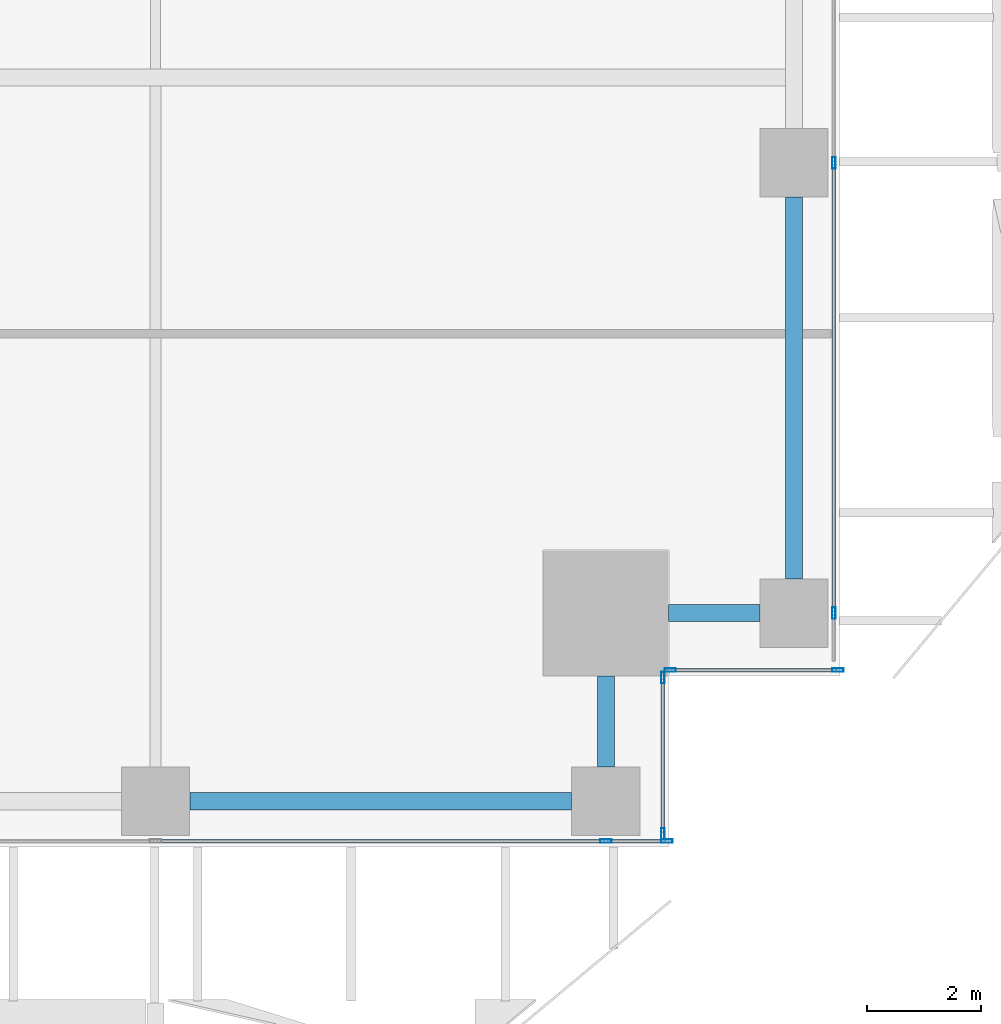
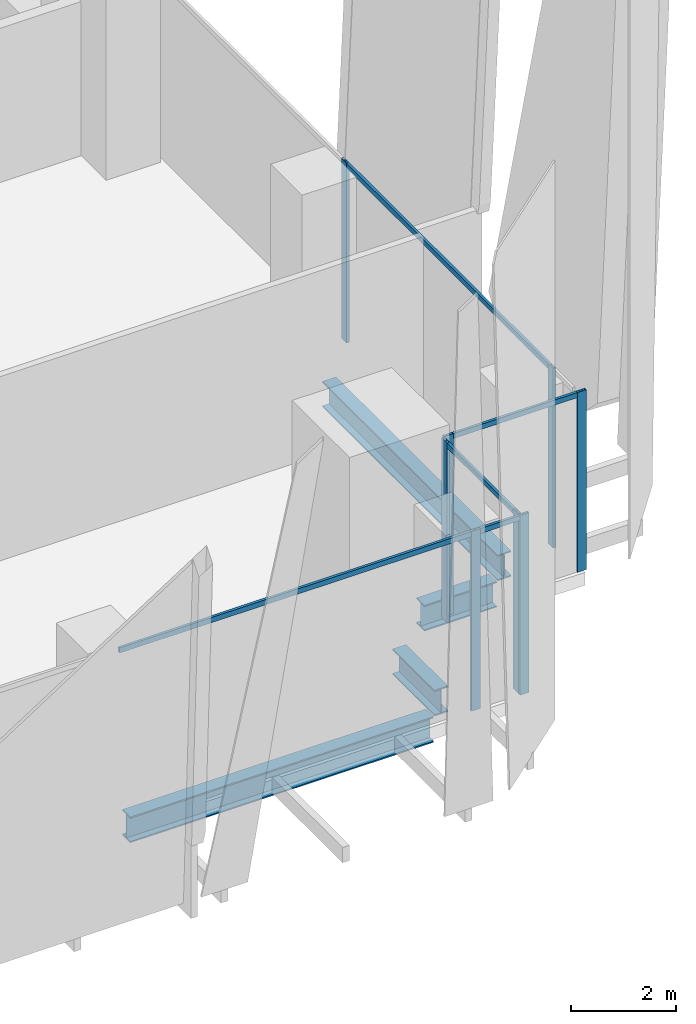
# One storey, part 8 of 34: 13 members, 4 beams, 4 elements without a shape of their own.
"""IFC4 building model written with IfcOpenShell, lengths in metres."""

from ifc_helpers import new_model, si_unit, direction, frame, origin, origin_2d, place, context, subcontext, project, spatial, hollow_rectangle, i_section, extrude, source, transform, mapped, material, material_profile, profile_set, type_object, element, aggregate, save


model = new_model("IFC4")

# Units and contexts
model_context = context("Model", 3, precision=1e-05, world=origin(), true_north=direction((0.0, 1.0)))
body_context = subcontext(model_context, "Body", "Model", "MODEL_VIEW")
ifc_project = project(units=[si_unit("LENGTHUNIT", "METRE"), si_unit("AREAUNIT", "SQUARE_METRE"), si_unit("VOLUMEUNIT", "CUBIC_METRE"), si_unit("PLANEANGLEUNIT", "RADIAN"), si_unit("MASSUNIT", "GRAM", prefix="KILO")], contexts=[model_context])

# Site, building, storey
site_placement = place(None, origin())
site = spatial("IfcSite", under=ifc_project, at=site_placement, CompositionType="ELEMENT")
building_placement = place(site_placement, origin())
building = spatial("IfcBuilding", under=site, at=building_placement, Name="Khomas Fold Tower", CompositionType="ELEMENT")
storey_placement = place(building_placement, frame((0.0, 0.0, 73.5)))
storey = spatial("IfcBuildingStorey", under=building, at=storey_placement, Name="L15", CompositionType="ELEMENT", Elevation=73.5)

# Beams
ifc_material_1 = material(Name="Steel S355", Category="steel")
ifc_material_profile_1 = material_profile(ifc_material_1, i_section(OverallWidth=0.300048828125, OverallDepth=0.60009765625, WebThickness=0.015380859375, FlangeThickness=0.030029296875, at=origin_2d()), Name="HE 600 B")
ifc_profile_set_1 = profile_set([ifc_material_profile_1], Name="Steel S355")
beam_type = type_object("IfcBeamType", Name="HE 600 B spandrel SB1", PredefinedType="SPANDREL", material=ifc_profile_set_1)
shared_shape_1 = source(origin(), body_context, "Body", "SweptSolid", [
    extrude(i_section(OverallWidth=0.300048828125, OverallDepth=0.60009765625, WebThickness=0.015380859375, FlangeThickness=0.030029296875, at=origin_2d()), origin(), (0.0, 0.0, 1.0), 6.699951171875),
])
for number, where, z_axis, x_axis, name in (
    (1, (42.60009765625, 0.800048828125, -0.60009765625), (1.0, 0.0, 0.0), (0.0, 1.0, 0.0), "SB1"),
    (2, (53.199951171875, 4.699951171875, -0.60009765625), (0.0, 1.0, 0.0), (-1.0, 0.0, 0.0), "SB1"),
):
    element("IfcBeam", number, at=place(storey_placement, frame(where, z_axis=z_axis, x_axis=x_axis)), inside=storey, type_object=beam_type, Name=name, PredefinedType="SPANDREL", context=body_context, shape_type="MappedRepresentation", body=[
        mapped(shared_shape_1, transform((0.0, 0.0, 0.0))),
    ])
shared_shape_2 = source(origin(), body_context, "Body", "SweptSolid", [
    extrude(i_section(OverallWidth=0.300048828125, OverallDepth=0.60009765625, WebThickness=0.015380859375, FlangeThickness=0.030029296875, at=origin_2d()), origin(), (0.0, 0.0, 1.0), 1.60009765625),
])
for number, where, z_axis, x_axis, name in (
    (3, (49.89990234375, 1.39990234375, -0.60009765625), (0.0, 1.0, 0.0), (-1.0, 0.0, 0.0), "SB1"),
    (4, (51.0, 4.10009765625, -0.60009765625), (1.0, 0.0, 0.0), (0.0, 1.0, 0.0), "SB1"),
):
    element("IfcBeam", number, at=place(storey_placement, frame(where, z_axis=z_axis, x_axis=x_axis)), inside=storey, type_object=beam_type, Name=name, PredefinedType="SPANDREL", context=body_context, shape_type="MappedRepresentation", body=[
        mapped(shared_shape_2, transform((0.0, 0.0, 0.0))),
    ])

# Curtain wall, member
ifc_material_2 = material(Name="Aluminium framed double glazing", Category="aluminium")
curtain_wall_type = type_object("IfcCurtainWallType", Name="SK-Unitised clear-glass wall, growing floors CW1", PredefinedType="NOTDEFINED", material=ifc_material_2)
curtain_wall_1_placement = place(storey_placement, origin())
curtain_wall_1 = element("IfcCurtainWall", 5, at=curtain_wall_1_placement, inside=storey, type_object=curtain_wall_type, Name="CW1 run L15 00-0", PredefinedType="NOTDEFINED")
ifc_material_3 = material(Name="Aluminium", Category="aluminium")
ifc_material_profile_2 = material_profile(ifc_material_3, hollow_rectangle(XDim=0.06005859375, YDim=0.1201171875, WallThickness=0.00390625, at=origin_2d()), Name="SK-Unitised clear-glass wall, growing floors transom CW1-T")
ifc_profile_set_2 = profile_set([ifc_material_profile_2], Name="Aluminium")
member_type_1 = type_object("IfcMemberType", Name="SK-Unitised clear-glass wall, growing floors transom CW1-T", PredefinedType="USERDEFINED", material=ifc_profile_set_2)
shared_shape_3 = source(origin(), body_context, "Body", "SweptSolid", [
    extrude(hollow_rectangle(XDim=0.06005859375, YDim=0.1201171875, WallThickness=0.00390625, at=origin_2d()), origin(), (0.0, 0.0, 1.0), 7.840087890625),
])
member_1_placement = place(storey_placement, frame((42.030029296875, 0.10009765625, 4.139892578125), z_axis=(1.0, 0.0, 0.0), x_axis=(0.0, 1.0, 0.0)))
member_1 = element("IfcMember", 6, at=member_1_placement, type_object=member_type_1, Name="CW1 transom 7", ObjectType="TRANSOM", PredefinedType="USERDEFINED", context=body_context, shape_type="MappedRepresentation", body=[
    mapped(shared_shape_3, transform((0.0, 0.0, 0.0))),
])

curtain_wall_2_placement = place(storey_placement, origin())
curtain_wall_2 = element("IfcCurtainWall", 7, at=curtain_wall_2_placement, inside=storey, type_object=curtain_wall_type, Name="CW1 run L15 03-0", PredefinedType="NOTDEFINED")
member_2_placement = place(storey_placement, frame((53.89990234375, 4.1298828125, 4.139892578125), z_axis=(0.0, 1.0, 0.0), x_axis=(-1.0, 0.0, 0.0)))
member_2 = element("IfcMember", 8, at=member_2_placement, type_object=member_type_1, Name="CW1 transom 2", ObjectType="TRANSOM", PredefinedType="USERDEFINED", context=body_context, shape_type="MappedRepresentation", body=[
    mapped(shared_shape_3, transform((0.0, 0.0, 0.0))),
])

# Member
shared_shape_4 = source(origin(), body_context, "Body", "SweptSolid", [
    extrude(hollow_rectangle(XDim=0.06005859375, YDim=0.1201171875, WallThickness=0.00390625, at=origin_2d()), origin(), (0.0, 0.0, 1.0), 1.010009765625),
])
member_3_placement = place(storey_placement, frame((49.929931640625, 0.10009765625, 4.139892578125), z_axis=(1.0, 0.0, 0.0), x_axis=(0.0, 1.0, 0.0)))
member_3 = element("IfcMember", 9, at=member_3_placement, type_object=member_type_1, Name="CW1 transom 8", ObjectType="TRANSOM", PredefinedType="USERDEFINED", context=body_context, shape_type="MappedRepresentation", body=[
    mapped(shared_shape_4, transform((0.0, 0.0, 0.0))),
])

# Curtain wall, member
curtain_wall_3_placement = place(storey_placement, origin())
curtain_wall_3 = element("IfcCurtainWall", 10, at=curtain_wall_3_placement, inside=storey, type_object=curtain_wall_type, Name="CW1 corner return L15 01", PredefinedType="NOTDEFINED")
shared_shape_5 = source(origin(), body_context, "Body", "SweptSolid", [
    extrude(hollow_rectangle(XDim=0.06005859375, YDim=0.1201171875, WallThickness=0.00390625, at=origin_2d()), origin(), (0.0, 0.0, 1.0), 2.679931640625),
])
member_4_placement = place(storey_placement, frame((50.89990234375, 0.260009765625, 4.139892578125), z_axis=(0.0, 1.0, 0.0), x_axis=(-1.0, 0.0, 0.0)))
member_4 = element("IfcMember", 11, at=member_4_placement, type_object=member_type_1, Name="CW1 transom 1", ObjectType="TRANSOM", PredefinedType="USERDEFINED", context=body_context, shape_type="MappedRepresentation", body=[
    mapped(shared_shape_5, transform((0.0, 0.0, 0.0))),
])

curtain_wall_4_placement = place(storey_placement, origin())
curtain_wall_4 = element("IfcCurtainWall", 12, at=curtain_wall_4_placement, inside=storey, type_object=curtain_wall_type, Name="CW1 corner return L15 02", PredefinedType="NOTDEFINED")
shared_shape_6 = source(origin(), body_context, "Body", "SweptSolid", [
    extrude(hollow_rectangle(XDim=0.06005859375, YDim=0.1201171875, WallThickness=0.00390625, at=origin_2d()), origin(), (0.0, 0.0, 1.0), 2.8798828125),
])
member_5_placement = place(storey_placement, frame((51.06005859375, 3.10009765625, 4.139892578125), z_axis=(1.0, 0.0, 0.0), x_axis=(0.0, 1.0, 0.0)))
member_5 = element("IfcMember", 13, at=member_5_placement, type_object=member_type_1, Name="CW1 transom 1", ObjectType="TRANSOM", PredefinedType="USERDEFINED", context=body_context, shape_type="MappedRepresentation", body=[
    mapped(shared_shape_6, transform((0.0, 0.0, 0.0))),
])

# Member
ifc_material_4 = material(Name="Aluminium", Category="aluminium")
ifc_material_profile_3 = material_profile(ifc_material_4, hollow_rectangle(XDim=0.06005859375, YDim=0.199951171875, WallThickness=0.00390625, at=origin_2d()), Name="SK-Unitised clear-glass wall, growing floors mullion CW1-M")
ifc_profile_set_3 = profile_set([ifc_material_profile_3], Name="Aluminium")
member_type_2 = type_object("IfcMemberType", Name="SK-Unitised clear-glass wall, growing floors mullion CW1-M", PredefinedType="MULLION", material=ifc_profile_set_3)
shared_shape_7 = source(origin(), body_context, "Body", "SweptSolid", [
    extrude(hollow_rectangle(XDim=0.06005859375, YDim=0.199951171875, WallThickness=0.00390625, at=origin_2d()), origin(), (0.0, 0.0, 1.0), 4.199951171875),
])
member_6_placement = place(storey_placement, frame((49.89990234375, 0.10009765625, 0.0), z_axis=(0.0, 0.0, 1.0), x_axis=(0.0, 1.0, 0.0)))
member_6 = element("IfcMember", 14, at=member_6_placement, type_object=member_type_2, Name="CW1 mullion 8", PredefinedType="MULLION", context=body_context, shape_type="MappedRepresentation", body=[
    mapped(shared_shape_7, transform((0.0, 0.0, 0.0))),
])

member_7_placement = place(storey_placement, frame((50.969970703125, 0.10009765625, 0.0), z_axis=(0.0, 0.0, 1.0), x_axis=(0.0, 1.0, 0.0)))
member_7 = element("IfcMember", 15, at=member_7_placement, type_object=member_type_2, Name="CW1 mullion 9", PredefinedType="MULLION", context=body_context, shape_type="MappedRepresentation", body=[
    mapped(shared_shape_7, transform((0.0, 0.0, 0.0))),
])

aggregate(curtain_wall_1, [member_6, member_7, member_1, member_3])

member_8_placement = place(storey_placement, frame((50.89990234375, 0.22998046875, 0.0), z_axis=(0.0, 0.0, 1.0), x_axis=(-1.0, 0.0, 0.0)))
member_8 = element("IfcMember", 16, at=member_8_placement, type_object=member_type_2, Name="CW1 mullion 1", PredefinedType="MULLION", context=body_context, shape_type="MappedRepresentation", body=[
    mapped(shared_shape_7, transform((0.0, 0.0, 0.0))),
])

member_9_placement = place(storey_placement, frame((50.89990234375, 2.969970703125, 0.0), z_axis=(0.0, 0.0, 1.0), x_axis=(-1.0, 0.0, 0.0)))
member_9 = element("IfcMember", 17, at=member_9_placement, type_object=member_type_2, Name="CW1 mullion 2", PredefinedType="MULLION", context=body_context, shape_type="MappedRepresentation", body=[
    mapped(shared_shape_7, transform((0.0, 0.0, 0.0))),
])

aggregate(curtain_wall_3, [member_8, member_9, member_4])

member_10_placement = place(storey_placement, frame((51.030029296875, 3.10009765625, 0.0), z_axis=(0.0, 0.0, 1.0), x_axis=(0.0, 1.0, 0.0)))
member_10 = element("IfcMember", 18, at=member_10_placement, type_object=member_type_2, Name="CW1 mullion 1", PredefinedType="MULLION", context=body_context, shape_type="MappedRepresentation", body=[
    mapped(shared_shape_7, transform((0.0, 0.0, 0.0))),
])

member_11_placement = place(storey_placement, frame((53.969970703125, 3.10009765625, 0.0), z_axis=(0.0, 0.0, 1.0), x_axis=(0.0, 1.0, 0.0)))
member_11 = element("IfcMember", 19, at=member_11_placement, type_object=member_type_2, Name="CW1 mullion 2", PredefinedType="MULLION", context=body_context, shape_type="MappedRepresentation", body=[
    mapped(shared_shape_7, transform((0.0, 0.0, 0.0))),
])

aggregate(curtain_wall_4, [member_10, member_11, member_5])

member_12_placement = place(storey_placement, frame((53.89990234375, 4.10009765625, 0.0), z_axis=(0.0, 0.0, 1.0), x_axis=(-1.0, 0.0, 0.0)))
member_12 = element("IfcMember", 20, at=member_12_placement, type_object=member_type_2, Name="CW1 mullion 2", PredefinedType="MULLION", context=body_context, shape_type="MappedRepresentation", body=[
    mapped(shared_shape_7, transform((0.0, 0.0, 0.0))),
])

member_13_placement = place(storey_placement, frame((53.89990234375, 12.0, 0.0), z_axis=(0.0, 0.0, 1.0), x_axis=(-1.0, 0.0, 0.0)))
member_13 = element("IfcMember", 21, at=member_13_placement, type_object=member_type_2, Name="CW1 mullion 3", PredefinedType="MULLION", context=body_context, shape_type="MappedRepresentation", body=[
    mapped(shared_shape_7, transform((0.0, 0.0, 0.0))),
])

aggregate(curtain_wall_2, [member_12, member_13, member_2])

save(model, "model.ifc")
